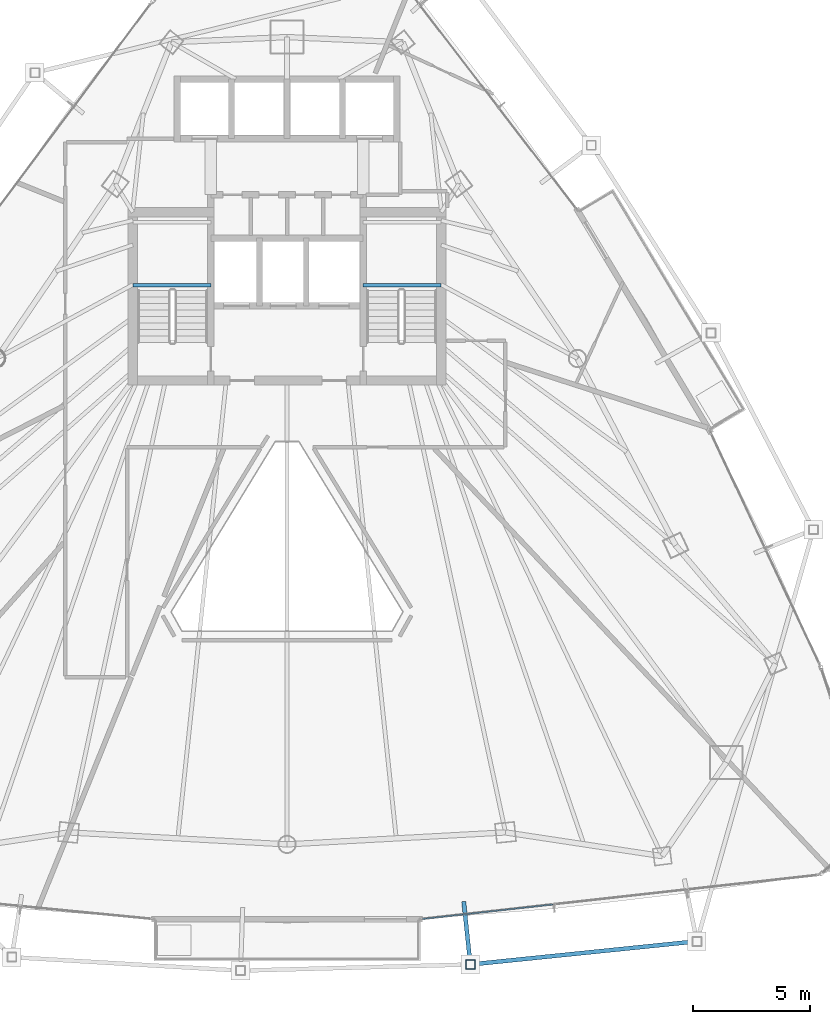
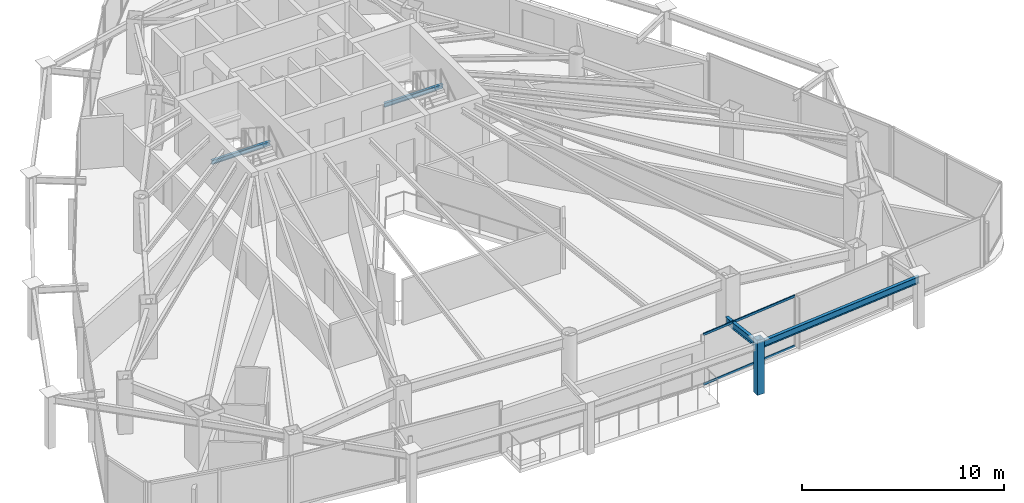
# One storey, part 13 of 31: 4 beams, 3 members, 1 element without a shape of its own.
"""IFC4 building model written with IfcOpenShell, lengths in metres."""

from ifc_helpers import new_model, si_unit, direction, frame, origin, origin_2d, place, context, subcontext, project, spatial, hollow_rectangle, i_section, extrude, material, layer, layer_set, material_profile, profile_set, type_object, element, aggregate, save


model = new_model("IFC4")

# Units and contexts
model_context = context("Model", 3, precision=1e-05, world=origin(), true_north=direction((0.0, 1.0)))
body_context = subcontext(model_context, "Body", "Model", "MODEL_VIEW")
ifc_project = project(units=[si_unit("LENGTHUNIT", "METRE"), si_unit("AREAUNIT", "SQUARE_METRE"), si_unit("VOLUMEUNIT", "CUBIC_METRE"), si_unit("PLANEANGLEUNIT", "RADIAN"), si_unit("MASSUNIT", "GRAM", prefix="KILO")], contexts=[model_context])

# Site, building, storey
site_placement = place(None, origin())
site = spatial("IfcSite", under=ifc_project, at=site_placement, CompositionType="ELEMENT")
building_placement = place(site_placement, origin())
building = spatial("IfcBuilding", under=site, at=building_placement, Name="Orvanel Arch Residences", CompositionType="ELEMENT")
storey_placement = place(building_placement, frame((0.0, 0.0, 157.25)))
storey = spatial("IfcBuildingStorey", under=building, at=storey_placement, Name="L44", CompositionType="ELEMENT", Elevation=157.25)

# Beams
ifc_material_1 = material(Name="Structural steel AS/NZS 3679.1 Grade 300 (300 MPa)", Category="steel")
ifc_material_profile_1 = material_profile(ifc_material_1, i_section(OverallWidth=0.14599609375, OverallDepth=0.251953125, WebThickness=0.006103515625, FlangeThickness=0.008544921875, at=origin_2d()), Name="250UB31.4")
ifc_profile_set_1 = profile_set([ifc_material_profile_1], Name="Structural steel AS/NZS 3679.1 Grade 300 (300 MPa)")
beam_type_1 = type_object("IfcBeamType", Name="BJ-250UB", PredefinedType="JOIST", material=ifc_profile_set_1)
for number, where, z_axis, x_axis, name in (
    (1, (26.39990234375, 30.780029296875, 1.323974609375), (1.0, 0.0, 0.0), (0.0, 1.0, 0.0), "L44 ST-1 Half-Landing Support Beam 1.1"),
    (2, (36.25, 30.780029296875, 1.323974609375), (1.0, 0.0, 0.0), (0.0, 1.0, 0.0), "L44 ST-2 Half-Landing Support Beam 1.1"),
):
    element("IfcBeam", number, at=place(storey_placement, frame(where, z_axis=z_axis, x_axis=x_axis)), inside=storey, type_object=beam_type_1, Name=name, PredefinedType="JOIST", context=body_context, shape_type="SweptSolid", body=[
        extrude(i_section(OverallWidth=0.14599609375, OverallDepth=0.251953125, WebThickness=0.006103515625, FlangeThickness=0.008544921875, at=origin_2d()), origin(), (0.0, 0.0, 1.0), 3.35009765625),
    ])
ifc_material_profile_2 = material_profile(ifc_material_1, i_section(OverallWidth=0.177978515625, OverallDepth=0.406005859375, WebThickness=0.0078125, FlangeThickness=0.0126953125, at=origin_2d()), Name="410UB59.7")
ifc_profile_set_2 = profile_set([ifc_material_profile_2], Name="Structural steel AS/NZS 3679.1 Grade 300 (300 MPa)")
beam_type_2 = type_object("IfcBeamType", Name="OB-410UB-EXT", PredefinedType="SPANDREL", material=ifc_profile_set_2)
beam_1_placement = place(storey_placement, frame((40.56298828125, 4.39501953125, 2.85693359375), z_axis=(0.104849036165, -0.99448814956, 0.0), x_axis=(0.99448814956, 0.104849036165, 0.0)))
element("IfcBeam", 3, at=beam_1_placement, inside=storey, type_object=beam_type_2, Name="L44 Outer Frame Radial Tie Beam 07", PredefinedType="SPANDREL", context=body_context, shape_type="SweptSolid", body=[
    extrude(i_section(OverallWidth=0.177978515625, OverallDepth=0.406005859375, WebThickness=0.0078125, FlangeThickness=0.0126953125, at=origin_2d()), origin(), (0.0, 0.0, 1.0), 2.7080078125),
])
beam_2_placement = place(storey_placement, frame((40.846923828125, 1.701904296875, 2.85693359375), z_axis=(0.994815281962, 0.101698351876, 0.0), x_axis=(-0.101698351876, 0.994815281962, 0.0)))
element("IfcBeam", 4, at=beam_2_placement, inside=storey, type_object=beam_type_2, Name="L44 Outer Perimeter Floor Ring Beam 07", PredefinedType="SPANDREL", context=body_context, shape_type="SweptSolid", body=[
    extrude(i_section(OverallWidth=0.177978515625, OverallDepth=0.406005859375, WebThickness=0.0078125, FlangeThickness=0.0126953125, at=origin_2d()), origin(), (0.0, 0.0, 1.0), 9.74658203125),
])

# Member
ifc_material_2 = material(Name="Structural steel AS/NZS 1163 C450L0 (Grade 450)", Category="steel")
ifc_material_profile_3 = material_profile(ifc_material_2, hollow_rectangle(XDim=0.39990234375, YDim=0.39990234375, WallThickness=0.01611328125, at=origin_2d()), Name="SHS400x400x16")
ifc_profile_set_3 = profile_set([ifc_material_profile_3], Name="Structural steel AS/NZS 1163 C450L0 (Grade 450)")
member_type_1 = type_object("IfcMemberType", Name="ST-400SHS-EXT", PredefinedType="STRUT", material=ifc_profile_set_3)
member_1_placement = place(storey_placement, frame((40.846923828125, 1.701904296875, 0.0), z_axis=(0.0, 0.0, 1.0), x_axis=(1.0, 0.0, 0.0)))
element("IfcMember", 5, at=member_1_placement, inside=storey, type_object=member_type_1, Name="L44 Outer Perimeter Frame Post 07", PredefinedType="STRUT", context=body_context, shape_type="SweptSolid", body=[
    extrude(hollow_rectangle(XDim=0.39990234375, YDim=0.39990234375, WallThickness=0.01611328125, at=origin_2d()), origin(), (0.0, 0.0, 1.0), 3.300048828125),
])

# Curtain wall, members
ifc_material_3 = material(Name="Bronze-anodised aluminium AA6063-T6", Category="aluminium")
ifc_layer = layer(ifc_material_3, 0.179931640625)
ifc_layer_set = layer_set([ifc_layer], Name="Bronze-anodised aluminium AA6063-T6")
curtain_wall_type = type_object("IfcCurtainWallType", Name="CW3-MID-SYS", PredefinedType="NOTDEFINED", material=ifc_layer_set)
curtain_wall_placement = place(storey_placement, origin())
curtain_wall = element("IfcCurtainWall", 6, at=curtain_wall_placement, inside=storey, type_object=curtain_wall_type, Name="L44 CW3-MID-SYS Unitised Curtain Wall", PredefinedType="NOTDEFINED")
ifc_material_profile_4 = material_profile(ifc_material_3, hollow_rectangle(XDim=0.06005859375, YDim=0.135009765625, WallThickness=0.00390625, at=origin_2d()), Name="ALU135x60x4")
ifc_profile_set_4 = profile_set([ifc_material_profile_4], Name="Bronze-anodised aluminium AA6063-T6")
member_type_2 = type_object("IfcMemberType", Name="TRN-135x60", PredefinedType="USERDEFINED", material=ifc_profile_set_4)
member_2_placement = place(storey_placement, frame((38.79345703125, 3.650634765625, 0.030029296875), z_axis=(0.993886382766, 0.110407690643, 0.0), x_axis=(-0.110407690643, 0.993886382766, 0.0)))
member_2 = element("IfcMember", 7, at=member_2_placement, type_object=member_type_2, Name="CW-S3 transom 1.1", ObjectType="TRANSOM", PredefinedType="USERDEFINED", context=body_context, shape_type="SweptSolid", body=[
    extrude(hollow_rectangle(XDim=0.06005859375, YDim=0.135009765625, WallThickness=0.00390625, at=origin_2d()), origin(), (0.0, 0.0, 1.0), 5.62109375),
])
member_3_placement = place(storey_placement, frame((38.79345703125, 3.650634765625, 3.030029296875), z_axis=(0.993886382766, 0.110407690643, 0.0), x_axis=(-0.110407690643, 0.993886382766, 0.0)))
member_3 = element("IfcMember", 8, at=member_3_placement, type_object=member_type_2, Name="CW-S3 transom 1.2", ObjectType="TRANSOM", PredefinedType="USERDEFINED", context=body_context, shape_type="SweptSolid", body=[
    extrude(hollow_rectangle(XDim=0.06005859375, YDim=0.135009765625, WallThickness=0.00390625, at=origin_2d()), origin(), (0.0, 0.0, 1.0), 5.62109375),
])
aggregate(curtain_wall, [member_2, member_3])

save(model, "model.ifc")
